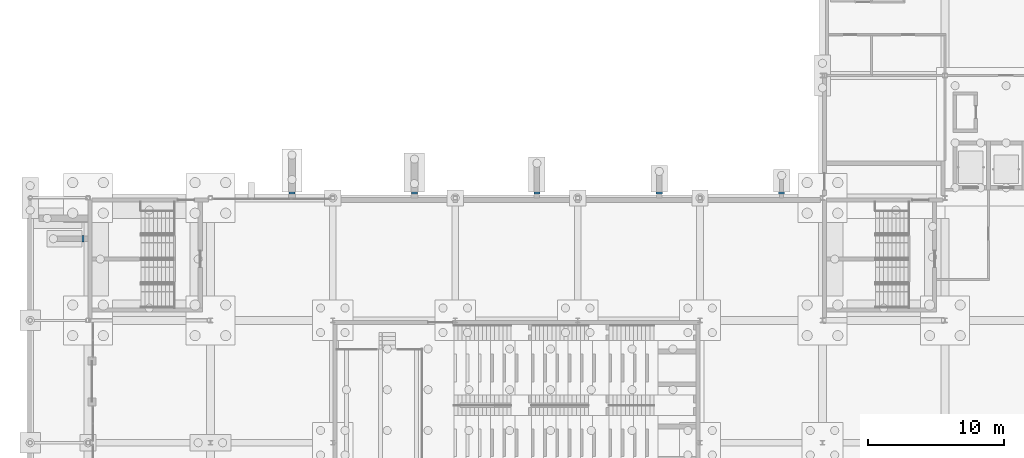
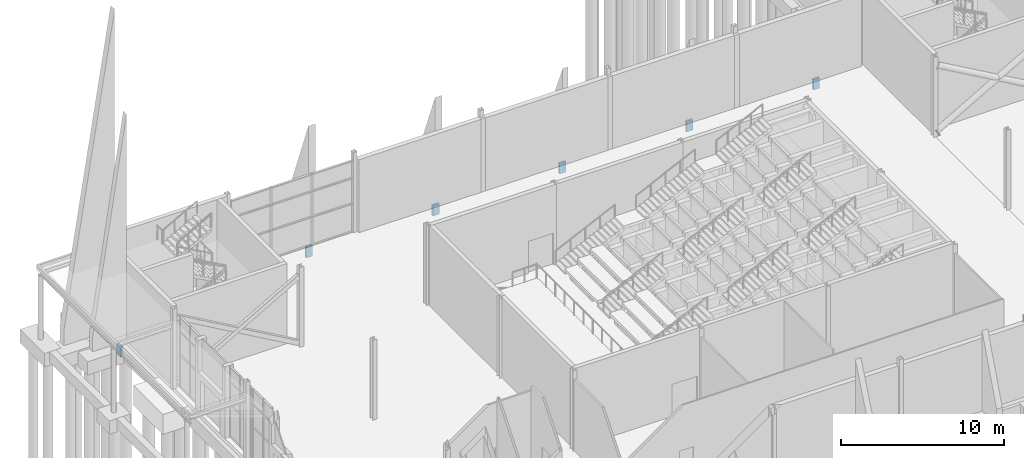
# One storey, part 13 of 139: 6 footings.
"""IFC4 building model written with IfcOpenShell, lengths in metres."""

from ifc_helpers import new_model, si_unit, direction, frame, origin, origin_2d, place, context, subcontext, project, spatial, rectangle, extrude, material, type_object, element, save


model = new_model("IFC4")

# Units and contexts
model_context = context("Model", 3, precision=1e-05, world=origin(), true_north=direction((0.0, 1.0)))
body_context = subcontext(model_context, "Body", "Model", "MODEL_VIEW")
ifc_project = project(units=[si_unit("LENGTHUNIT", "METRE"), si_unit("AREAUNIT", "SQUARE_METRE"), si_unit("VOLUMEUNIT", "CUBIC_METRE"), si_unit("PLANEANGLEUNIT", "RADIAN"), si_unit("MASSUNIT", "GRAM", prefix="KILO")], contexts=[model_context])

# Site, building, storey
site_placement = place(None, origin())
site = spatial("IfcSite", under=ifc_project, at=site_placement, CompositionType="ELEMENT")
building_placement = place(site_placement, origin())
building = spatial("IfcBuilding", under=site, at=building_placement, Name="Shorebreak Coast Museum", CompositionType="ELEMENT")
storey_placement = place(building_placement, origin())
storey = spatial("IfcBuildingStorey", under=building, at=storey_placement, Name="L00", CompositionType="ELEMENT", Elevation=0.0)

# Footings
ifc_material = material(Name="Concrete N50 (50 MPa)", Category="concrete")
footing_type = type_object("IfcFootingType", Name="Footing ground beam 450x800", PredefinedType="FOOTING_BEAM", material=ifc_material)
footing_placement = place(storey_placement, frame((-0.375, 87.0, -1.10009765625), z_axis=(0.0, 0.0, 1.0), x_axis=(1.0, 0.0, 0.0)))
element("IfcFooting", 1, at=footing_placement, inside=storey, type_object=footing_type, Name="Ground beam fin to tie W", PredefinedType="FOOTING_BEAM", context=body_context, shape_type="SweptSolid", body=[
    extrude(rectangle(XDim=0.14990234375, YDim=0.449951171875, at=origin_2d()), origin(), (0.0, 0.0, 1.0), 0.800048828125),
])
for number, where, z_axis, x_axis, name in (
    (2, (15.0, 90.375, -1.10009765625), (0.0, 0.0, 1.0), (1.0, 0.0, 0.0), "Ground beam fin to tie WN"),
    (3, (24.0, 90.375, -1.10009765625), (0.0, 0.0, 1.0), (1.0, 0.0, 0.0), "Ground beam fin to tie WN"),
    (4, (33.0, 90.375, -1.10009765625), (0.0, 0.0, 1.0), (1.0, 0.0, 0.0), "Ground beam fin to tie WN"),
    (5, (42.0, 90.375, -1.10009765625), (0.0, 0.0, 1.0), (1.0, 0.0, 0.0), "Ground beam fin to tie WN"),
    (6, (51.0, 90.375, -1.10009765625), (0.0, 0.0, 1.0), (1.0, 0.0, 0.0), "Ground beam fin to tie WN"),
):
    element("IfcFooting", number, at=place(storey_placement, frame(where, z_axis=z_axis, x_axis=x_axis)), inside=storey, type_object=footing_type, Name=name, PredefinedType="FOOTING_BEAM", context=body_context, shape_type="SweptSolid", body=[
        extrude(rectangle(XDim=0.449951171875, YDim=0.14990234375, at=origin_2d()), origin(), (0.0, 0.0, 1.0), 0.800048828125),
    ])

save(model, "model.ifc")
